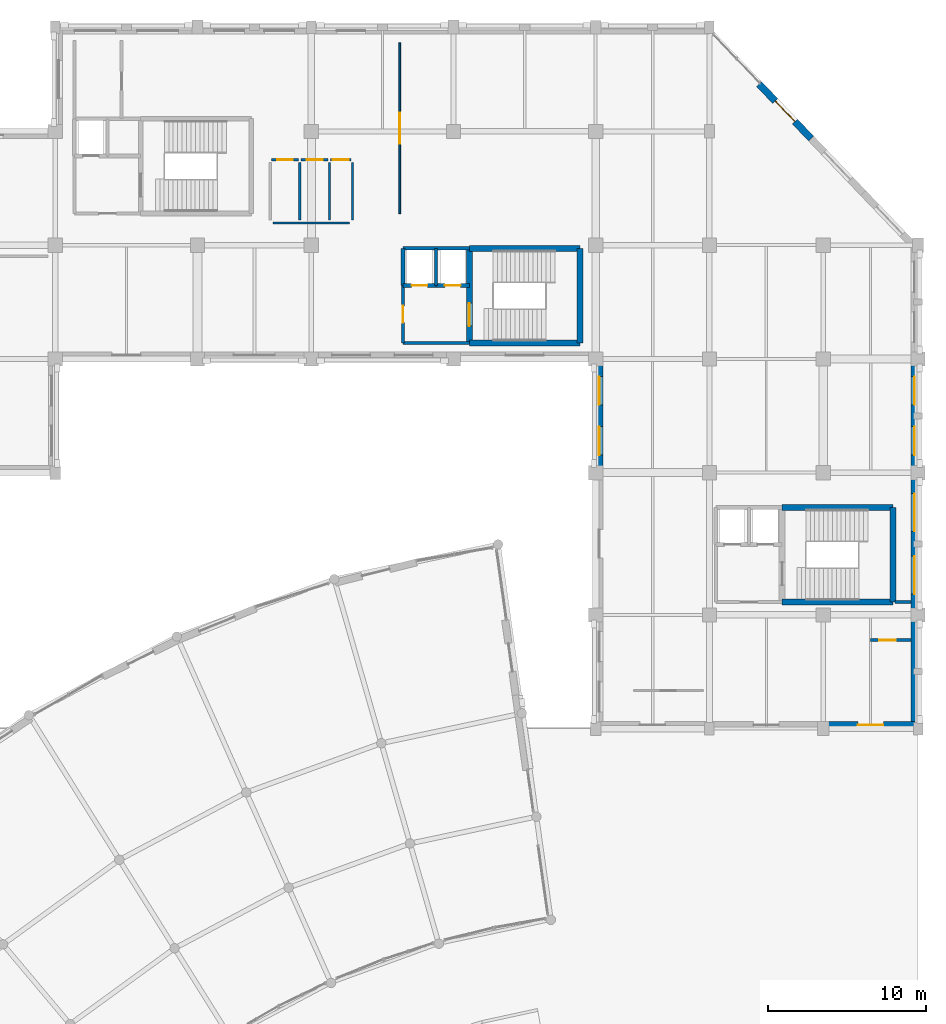
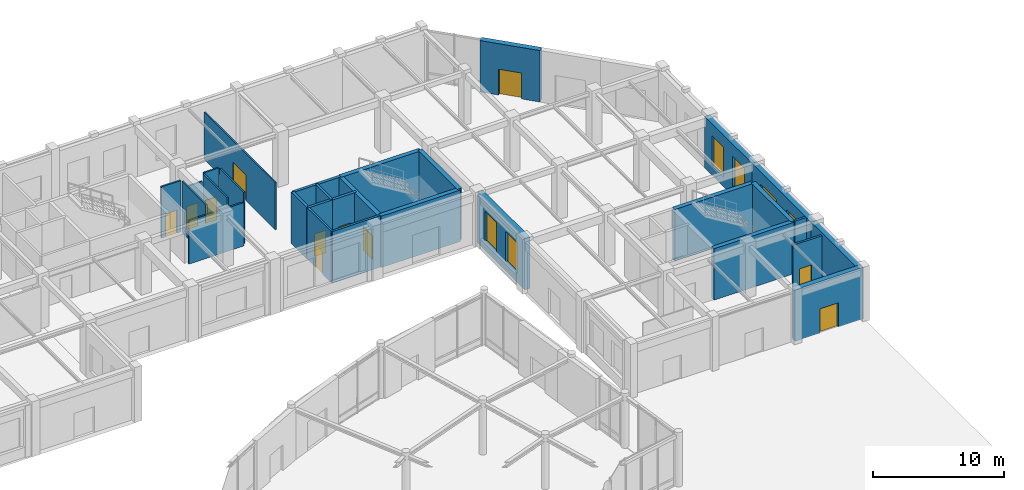
# One storey, part 54 of 64: 30 walls, 11 doors, 6 windows, 17 openings.
"""IFC4 building model written with IfcOpenShell, lengths in metres."""

from ifc_helpers import new_model, si_unit, direction, frame, frame_2d, origin, place, context, subcontext, project, spatial, rectangle, extrude, material, layer, layer_set, type_object, element, fill, save


model = new_model("IFC4")

# Units and contexts
model_context = context("Model", 3, precision=1e-05, world=origin(), true_north=direction((0.0, 1.0)))
body_context = subcontext(model_context, "Body", "Model", "MODEL_VIEW")
ifc_project = project(units=[si_unit("LENGTHUNIT", "METRE"), si_unit("AREAUNIT", "SQUARE_METRE"), si_unit("VOLUMEUNIT", "CUBIC_METRE"), si_unit("PLANEANGLEUNIT", "RADIAN"), si_unit("MASSUNIT", "GRAM", prefix="KILO")], contexts=[model_context])

# Site, building, storey
site_placement = place(None, origin())
site = spatial("IfcSite", under=ifc_project, at=site_placement, CompositionType="ELEMENT")
building_placement = place(site_placement, origin())
building = spatial("IfcBuilding", under=site, at=building_placement, Name="Clarverna Civic Hall", CompositionType="ELEMENT")
storey_placement = place(building_placement, origin())
storey = spatial("IfcBuildingStorey", under=building, at=storey_placement, Name="L00", CompositionType="ELEMENT", Elevation=0.0)

# Wall, opening, door
ifc_material_1 = material(Name="Precast concrete C40/50", Category="concrete")
ifc_layer_1 = layer(ifc_material_1, 0.449951171875)
ifc_layer_set_1 = layer_set([ifc_layer_1], Name="Precast concrete C40/50")
wall_type_1 = type_object("IfcWallType", Name="EW-01", PredefinedType="SOLIDWALL", material=ifc_layer_set_1)
wall_1_placement = place(storey_placement, frame((157.9375, 112.39453125, 0.0), z_axis=(0.0, 0.0, 1.0), x_axis=(0.691206390081, -0.722657405906, 0.0)))
wall_1 = element("IfcWall", 1, at=wall_1_placement, inside=storey, type_object=wall_type_1, Name="EW-01-040", PredefinedType="SOLIDWALL", context=body_context, shape_type="SweptSolid", body=[
    extrude(rectangle(XDim=4.77392578125, YDim=0.449951171875, at=frame_2d((2.386962890625, 0.0))), origin(), (0.0, 0.0, 1.0), 4.780029296875),
])
opening_1_placement = place(wall_1_placement, frame((1.487060546875, 0.0, 0.0)))
opening_1 = element("IfcOpeningElement", 2, at=opening_1_placement, cuts=wall_1, Name="Opening ED-02", PredefinedType="OPENING", context=body_context, shape_type="SweptSolid", body=[
    extrude(rectangle(XDim=1.800048828125, YDim=2.39990234375, at=frame_2d((0.89990234375, 1.199951171875))), frame((0.0, 0.23486328125, 0.0), z_axis=(0.0, -1.0, 0.0), x_axis=(1.0, 0.0, 0.0)), (0.0, 0.0, 1.0), 0.469970703125),
])
ifc_material_2 = material(Name="Anodised Bronze Glazed Door")
door_type_1 = type_object("IfcDoorType", Name="ED-02", OperationType="DOUBLE_DOOR_SINGLE_SWING", PredefinedType="DOOR", material=ifc_material_2)
door_1_placement = place(opening_1_placement, origin())
door_1 = element("IfcDoor", 3, at=door_1_placement, inside=storey, type_object=door_type_1, Name="ED-02-009", OperationType="DOUBLE_DOOR_SINGLE_SWING", OverallHeight=2.39990234375, OverallWidth=1.800048828125, PredefinedType="DOOR", context=body_context, shape_type="SweptSolid", body=[
    extrude(rectangle(XDim=1.800048828125, YDim=2.39990234375, at=frame_2d((0.89990234375, 1.199951171875))), frame((0.0, 0.02490234375, 0.0), z_axis=(0.0, -1.0, 0.0), x_axis=(1.0, 0.0, 0.0)), (0.0, 0.0, 1.0), 0.050048828125),
])
fill(opening_1, door_1)

# Wall, openings, windows
wall_2_placement = place(storey_placement, frame((167.77490234375, 95.0, 0.0), z_axis=(0.0, 0.0, 1.0), x_axis=(0.0, -1.0, 0.0)))
wall_2 = element("IfcWall", 4, at=wall_2_placement, inside=storey, type_object=wall_type_1, Name="EW-01-044", PredefinedType="SOLIDWALL", context=body_context, shape_type="SweptSolid", body=[
    extrude(rectangle(XDim=7.199951171875, YDim=0.449951171875, at=frame_2d((3.60009765625, 0.0))), origin(), (0.0, 0.0, 1.0), 4.780029296875),
])
opening_2_placement = place(wall_2_placement, frame((1.115966796875, 0.0, 0.85009765625)))
opening_2 = element("IfcOpeningElement", 5, at=opening_2_placement, cuts=wall_2, Name="Opening WN-01", PredefinedType="OPENING", context=body_context, shape_type="SweptSolid", body=[
    extrude(rectangle(XDim=1.800048828125, YDim=2.800048828125, at=frame_2d((0.89990234375, 1.39990234375))), frame((0.0, 0.23486328125, 0.0), z_axis=(0.0, -1.0, 0.0), x_axis=(1.0, 0.0, 0.0)), (0.0, 0.0, 1.0), 0.469970703125),
])
opening_3_placement = place(wall_2_placement, frame((4.283935546875, 0.0, 0.85009765625)))
opening_3 = element("IfcOpeningElement", 6, at=opening_3_placement, cuts=wall_2, Name="Opening WN-01", PredefinedType="OPENING", context=body_context, shape_type="SweptSolid", body=[
    extrude(rectangle(XDim=1.800048828125, YDim=2.800048828125, at=frame_2d((0.89990234375, 1.39990234375))), frame((0.0, 0.23486328125, 0.0), z_axis=(0.0, -1.0, 0.0), x_axis=(1.0, 0.0, 0.0)), (0.0, 0.0, 1.0), 0.469970703125),
])
ifc_material_3 = material(Name="Solar-Control Argon Low-E Double Glazing", Category="glass")
window_type_1 = type_object("IfcWindowType", Name="WN-01", PartitioningType="DOUBLE_PANEL_VERTICAL", PredefinedType="WINDOW", material=ifc_material_3)
window_1_placement = place(opening_2_placement, origin())
window_1 = element("IfcWindow", 7, at=window_1_placement, inside=storey, type_object=window_type_1, Name="WN-01-012", OverallHeight=2.800048828125, OverallWidth=1.800048828125, PartitioningType="DOUBLE_PANEL_VERTICAL", PredefinedType="WINDOW", context=body_context, shape_type="SweptSolid", body=[
    extrude(rectangle(XDim=1.800048828125, YDim=2.800048828125, at=frame_2d((0.89990234375, 1.39990234375))), frame((0.0, 0.030029296875, 0.0), z_axis=(0.0, -1.0, 0.0), x_axis=(1.0, 0.0, 0.0)), (0.0, 0.0, 1.0), 0.06005859375),
])
fill(opening_2, window_1)
window_2_placement = place(opening_3_placement, origin())
window_2 = element("IfcWindow", 8, at=window_2_placement, inside=storey, type_object=window_type_1, Name="WN-01-013", OverallHeight=2.800048828125, OverallWidth=1.800048828125, PartitioningType="DOUBLE_PANEL_VERTICAL", PredefinedType="WINDOW", context=body_context, shape_type="SweptSolid", body=[
    extrude(rectangle(XDim=1.800048828125, YDim=2.800048828125, at=frame_2d((0.89990234375, 1.39990234375))), frame((0.0, 0.030029296875, 0.0), z_axis=(0.0, -1.0, 0.0), x_axis=(1.0, 0.0, 0.0)), (0.0, 0.0, 1.0), 0.06005859375),
])
fill(opening_3, window_2)

wall_3_placement = place(storey_placement, frame((167.77490234375, 87.800048828125, 0.0), z_axis=(0.0, 0.0, 1.0), x_axis=(0.0, -1.0, 0.0)))
wall_3 = element("IfcWall", 9, at=wall_3_placement, inside=storey, type_object=wall_type_1, Name="EW-01-045", PredefinedType="SOLIDWALL", context=body_context, shape_type="SweptSolid", body=[
    extrude(rectangle(XDim=9.0, YDim=0.449951171875, at=frame_2d((4.5, 0.0))), origin(), (0.0, 0.0, 1.0), 4.780029296875),
])
opening_4_placement = place(wall_3_placement, frame((1.320068359375, 0.0, 0.85009765625)))
opening_4 = element("IfcOpeningElement", 10, at=opening_4_placement, cuts=wall_3, Name="Opening WN-02", PredefinedType="OPENING", context=body_context, shape_type="SweptSolid", body=[
    extrude(rectangle(XDim=2.39990234375, YDim=2.800048828125, at=frame_2d((1.199951171875, 1.39990234375))), frame((0.0, 0.23486328125, 0.0), z_axis=(0.0, -1.0, 0.0), x_axis=(1.0, 0.0, 0.0)), (0.0, 0.0, 1.0), 0.469970703125),
])
opening_5_placement = place(wall_3_placement, frame((5.280029296875, 0.0, 0.85009765625)))
opening_5 = element("IfcOpeningElement", 11, at=opening_5_placement, cuts=wall_3, Name="Opening WN-02", PredefinedType="OPENING", context=body_context, shape_type="SweptSolid", body=[
    extrude(rectangle(XDim=2.39990234375, YDim=2.800048828125, at=frame_2d((1.199951171875, 1.39990234375))), frame((0.0, 0.23486328125, 0.0), z_axis=(0.0, -1.0, 0.0), x_axis=(1.0, 0.0, 0.0)), (0.0, 0.0, 1.0), 0.469970703125),
])
window_type_2 = type_object("IfcWindowType", Name="WN-02", PartitioningType="TRIPLE_PANEL_VERTICAL", PredefinedType="WINDOW", material=ifc_material_3)
window_3_placement = place(opening_4_placement, origin())
window_3 = element("IfcWindow", 12, at=window_3_placement, inside=storey, type_object=window_type_2, Name="WN-02-008", OverallHeight=2.800048828125, OverallWidth=2.39990234375, PartitioningType="TRIPLE_PANEL_VERTICAL", PredefinedType="WINDOW", context=body_context, shape_type="SweptSolid", body=[
    extrude(rectangle(XDim=2.39990234375, YDim=2.800048828125, at=frame_2d((1.199951171875, 1.39990234375))), frame((0.0, 0.030029296875, 0.0), z_axis=(0.0, -1.0, 0.0), x_axis=(1.0, 0.0, 0.0)), (0.0, 0.0, 1.0), 0.06005859375),
])
fill(opening_4, window_3)
window_4_placement = place(opening_5_placement, origin())
window_4 = element("IfcWindow", 13, at=window_4_placement, inside=storey, type_object=window_type_2, Name="WN-02-009", OverallHeight=2.800048828125, OverallWidth=2.39990234375, PartitioningType="TRIPLE_PANEL_VERTICAL", PredefinedType="WINDOW", context=body_context, shape_type="SweptSolid", body=[
    extrude(rectangle(XDim=2.39990234375, YDim=2.800048828125, at=frame_2d((1.199951171875, 1.39990234375))), frame((0.0, 0.030029296875, 0.0), z_axis=(0.0, -1.0, 0.0), x_axis=(1.0, 0.0, 0.0)), (0.0, 0.0, 1.0), 0.06005859375),
])
fill(opening_5, window_4)

# Wall
wall_4_placement = place(storey_placement, frame((167.77490234375, 78.800048828125, 0.0), z_axis=(0.0, 0.0, 1.0), x_axis=(0.0, -1.0, 0.0)))
element("IfcWall", 14, at=wall_4_placement, inside=storey, type_object=wall_type_1, Name="EW-01-046", PredefinedType="SOLIDWALL", context=body_context, shape_type="SweptSolid", body=[
    extrude(rectangle(XDim=7.199951171875, YDim=0.449951171875, at=frame_2d((3.60009765625, 0.0))), origin(), (0.0, 0.0, 1.0), 4.780029296875),
])

# Wall, opening, door
wall_5_placement = place(storey_placement, frame((168.0, 71.824951171875, 0.0), z_axis=(0.0, 0.0, 1.0), x_axis=(-1.0, 0.0, 0.0)))
wall_5 = element("IfcWall", 15, at=wall_5_placement, inside=storey, type_object=wall_type_1, Name="EW-01-047", PredefinedType="SOLIDWALL", context=body_context, shape_type="SweptSolid", body=[
    extrude(rectangle(XDim=6.0, YDim=0.449951171875, at=frame_2d((3.0, 0.0))), origin(), (0.0, 0.0, 1.0), 4.780029296875),
])
opening_6_placement = place(wall_5_placement, frame((2.199951171875, 0.0, 0.0)))
opening_6 = element("IfcOpeningElement", 16, at=opening_6_placement, cuts=wall_5, Name="Opening ED-04", PredefinedType="OPENING", context=body_context, shape_type="SweptSolid", body=[
    extrude(rectangle(XDim=1.60009765625, YDim=2.25, at=frame_2d((0.800048828125, 1.125))), frame((0.0, 0.23486328125, 0.0), z_axis=(0.0, -1.0, 0.0), x_axis=(1.0, 0.0, 0.0)), (0.0, 0.0, 1.0), 0.469970703125),
])
door_type_2 = type_object("IfcDoorType", Name="ED-04", OperationType="DOUBLE_DOOR_SINGLE_SWING", PredefinedType="DOOR", material=ifc_material_2)
door_2_placement = place(opening_6_placement, origin())
door_2 = element("IfcDoor", 17, at=door_2_placement, inside=storey, type_object=door_type_2, Name="ED-04-001", OperationType="DOUBLE_DOOR_SINGLE_SWING", OverallHeight=2.25, OverallWidth=1.60009765625, PredefinedType="DOOR", context=body_context, shape_type="SweptSolid", body=[
    extrude(rectangle(XDim=1.60009765625, YDim=2.25, at=frame_2d((0.800048828125, 1.125))), frame((0.0, 0.02490234375, 0.0), z_axis=(0.0, -1.0, 0.0), x_axis=(1.0, 0.0, 0.0)), (0.0, 0.0, 1.0), 0.050048828125),
])
fill(opening_6, door_2)

# Wall, openings, windows
wall_6_placement = place(storey_placement, frame((147.824951171875, 87.800048828125, 0.0), z_axis=(0.0, 0.0, 1.0), x_axis=(0.0, 1.0, 0.0)))
wall_6 = element("IfcWall", 18, at=wall_6_placement, inside=storey, type_object=wall_type_1, Name="EW-01-052", PredefinedType="SOLIDWALL", context=body_context, shape_type="SweptSolid", body=[
    extrude(rectangle(XDim=7.199951171875, YDim=0.449951171875, at=frame_2d((3.60009765625, 0.0))), origin(), (0.0, 0.0, 1.0), 4.780029296875),
])
opening_7_placement = place(wall_6_placement, frame((1.115966796875, 0.0, 0.85009765625)))
opening_7 = element("IfcOpeningElement", 19, at=opening_7_placement, cuts=wall_6, Name="Opening WN-01", PredefinedType="OPENING", context=body_context, shape_type="SweptSolid", body=[
    extrude(rectangle(XDim=1.800048828125, YDim=2.800048828125, at=frame_2d((0.89990234375, 1.39990234375))), frame((0.0, 0.23486328125, 0.0), z_axis=(0.0, -1.0, 0.0), x_axis=(1.0, 0.0, 0.0)), (0.0, 0.0, 1.0), 0.469970703125),
])
opening_8_placement = place(wall_6_placement, frame((4.283935546875, 0.0, 0.85009765625)))
opening_8 = element("IfcOpeningElement", 20, at=opening_8_placement, cuts=wall_6, Name="Opening WN-01", PredefinedType="OPENING", context=body_context, shape_type="SweptSolid", body=[
    extrude(rectangle(XDim=1.800048828125, YDim=2.800048828125, at=frame_2d((0.89990234375, 1.39990234375))), frame((0.0, 0.23486328125, 0.0), z_axis=(0.0, -1.0, 0.0), x_axis=(1.0, 0.0, 0.0)), (0.0, 0.0, 1.0), 0.469970703125),
])
window_5_placement = place(opening_7_placement, origin())
window_5 = element("IfcWindow", 21, at=window_5_placement, inside=storey, type_object=window_type_1, Name="WN-01-014", OverallHeight=2.800048828125, OverallWidth=1.800048828125, PartitioningType="DOUBLE_PANEL_VERTICAL", PredefinedType="WINDOW", context=body_context, shape_type="SweptSolid", body=[
    extrude(rectangle(XDim=1.800048828125, YDim=2.800048828125, at=frame_2d((0.89990234375, 1.39990234375))), frame((0.0, 0.030029296875, 0.0), z_axis=(0.0, -1.0, 0.0), x_axis=(1.0, 0.0, 0.0)), (0.0, 0.0, 1.0), 0.06005859375),
])
fill(opening_7, window_5)
window_6_placement = place(opening_8_placement, origin())
window_6 = element("IfcWindow", 22, at=window_6_placement, inside=storey, type_object=window_type_1, Name="WN-01-015", OverallHeight=2.800048828125, OverallWidth=1.800048828125, PartitioningType="DOUBLE_PANEL_VERTICAL", PredefinedType="WINDOW", context=body_context, shape_type="SweptSolid", body=[
    extrude(rectangle(XDim=1.800048828125, YDim=2.800048828125, at=frame_2d((0.89990234375, 1.39990234375))), frame((0.0, 0.030029296875, 0.0), z_axis=(0.0, -1.0, 0.0), x_axis=(1.0, 0.0, 0.0)), (0.0, 0.0, 1.0), 0.06005859375),
])
fill(opening_8, window_6)

# Walls
ifc_material_4 = material(Name="Ceramic Brick and Plaster Wet-Room Partition", Category="masonry")
ifc_layer_2 = layer(ifc_material_4, 0.139892578125)
ifc_layer_set_2 = layer_set([ifc_layer_2], Name="Ceramic Brick and Plaster Wet-Room Partition")
wall_type_2 = type_object("IfcWallType", Name="PW-02", PredefinedType="PARTITIONING", material=ifc_layer_set_2)
wall_7_placement = place(storey_placement, frame((127.179931640625, 103.60009765625, 0.0), z_axis=(0.0, 0.0, 1.0), x_axis=(1.0, 0.0, 0.0)))
element("IfcWall", 23, at=wall_7_placement, inside=storey, type_object=wall_type_2, Name="PW-02-009", PredefinedType="PARTITIONING", context=body_context, shape_type="SweptSolid", body=[
    extrude(rectangle(XDim=4.840087890625, YDim=0.139892578125, at=frame_2d((2.419921875, 0.0))), origin(), (0.0, 0.0, 1.0), 4.030029296875),
])
for number, where, z_axis, x_axis, name in (
    (24, (132.199951171875, 103.780029296875, 0.0), (0.0, 0.0, 1.0), (0.0, 1.0, 0.0), "PW-02-011"),
    (25, (128.8720703125, 103.780029296875, 0.0), (0.0, 0.0, 1.0), (0.0, 1.0, 0.0), "PW-02-012"),
    (26, (130.743896484375, 103.780029296875, 0.0), (0.0, 0.0, 1.0), (0.0, 1.0, 0.0), "PW-02-013"),
):
    element("IfcWall", number, at=place(storey_placement, frame(where, z_axis=z_axis, x_axis=x_axis)), inside=storey, type_object=wall_type_2, Name=name, PredefinedType="PARTITIONING", context=body_context, shape_type="SweptSolid", body=[
        extrude(rectangle(XDim=3.639892578125, YDim=0.139892578125, at=frame_2d((1.81982421875, 0.0))), origin(), (0.0, 0.0, 1.0), 4.780029296875),
    ])

# Wall, opening, door
wall_8_placement = place(storey_placement, frame((127.080078125, 107.60009765625, 0.0), z_axis=(0.0, 0.0, 1.0), x_axis=(1.0, 0.0, 0.0)))
wall_8 = element("IfcWall", 27, at=wall_8_placement, inside=storey, type_object=wall_type_2, Name="PW-02-014", PredefinedType="PARTITIONING", context=body_context, shape_type="SweptSolid", body=[
    extrude(rectangle(XDim=1.7119140625, YDim=0.139892578125, at=frame_2d((0.85595703125, 0.0))), origin(), (0.0, 0.0, 1.0), 4.780029296875),
])
opening_9_placement = place(wall_8_placement, frame((0.35595703125, 0.0, 0.0)))
opening_9 = element("IfcOpeningElement", 28, at=opening_9_placement, cuts=wall_8, Name="Opening ID-02", PredefinedType="OPENING", context=body_context, shape_type="SweptSolid", body=[
    extrude(rectangle(XDim=1.0, YDim=2.14990234375, at=frame_2d((0.5, 1.074951171875))), frame((0.0, 0.079833984375, 0.0), z_axis=(0.0, -1.0, 0.0), x_axis=(1.0, 0.0, 0.0)), (0.0, 0.0, 1.0), 0.159912109375),
])
ifc_material_5 = material(Name="European Oak Veneered Acoustic Timber Door", Category="wood")
door_type_3 = type_object("IfcDoorType", Name="ID-02", OperationType="NOTDEFINED", PredefinedType="DOOR", material=ifc_material_5)
door_3_placement = place(opening_9_placement, origin())
door_3 = element("IfcDoor", 29, at=door_3_placement, inside=storey, type_object=door_type_3, Name="ID-02-004", OperationType="SINGLE_SWING_RIGHT", OverallHeight=2.14990234375, OverallWidth=1.0, PredefinedType="DOOR", context=body_context, shape_type="SweptSolid", body=[
    extrude(rectangle(XDim=1.0, YDim=2.14990234375, at=frame_2d((0.5, 1.074951171875))), frame((0.0, 0.02490234375, 0.0), z_axis=(0.0, -1.0, 0.0), x_axis=(1.0, 0.0, 0.0)), (0.0, 0.0, 1.0), 0.050048828125),
])
fill(opening_9, door_3)

wall_9_placement = place(storey_placement, frame((128.951904296875, 107.60009765625, 0.0), z_axis=(0.0, 0.0, 1.0), x_axis=(1.0, 0.0, 0.0)))
wall_9 = element("IfcWall", 30, at=wall_9_placement, inside=storey, type_object=wall_type_2, Name="PW-02-015", PredefinedType="PARTITIONING", context=body_context, shape_type="SweptSolid", body=[
    extrude(rectangle(XDim=1.712158203125, YDim=0.139892578125, at=frame_2d((0.85595703125, 0.0))), origin(), (0.0, 0.0, 1.0), 4.030029296875),
])
opening_10_placement = place(wall_9_placement, frame((0.35595703125, 0.0, 0.0)))
opening_10 = element("IfcOpeningElement", 31, at=opening_10_placement, cuts=wall_9, Name="Opening ID-02", PredefinedType="OPENING", context=body_context, shape_type="SweptSolid", body=[
    extrude(rectangle(XDim=1.0, YDim=2.14990234375, at=frame_2d((0.5, 1.074951171875))), frame((0.0, 0.079833984375, 0.0), z_axis=(0.0, -1.0, 0.0), x_axis=(1.0, 0.0, 0.0)), (0.0, 0.0, 1.0), 0.159912109375),
])
door_4_placement = place(opening_10_placement, origin())
door_4 = element("IfcDoor", 32, at=door_4_placement, inside=storey, type_object=door_type_3, Name="ID-02-005", OperationType="SINGLE_SWING_LEFT", OverallHeight=2.14990234375, OverallWidth=1.0, PredefinedType="DOOR", context=body_context, shape_type="SweptSolid", body=[
    extrude(rectangle(XDim=1.0, YDim=2.14990234375, at=frame_2d((0.5, 1.074951171875))), frame((0.0, 0.02490234375, 0.0), z_axis=(0.0, -1.0, 0.0), x_axis=(1.0, 0.0, 0.0)), (0.0, 0.0, 1.0), 0.050048828125),
])
fill(opening_10, door_4)

wall_10_placement = place(storey_placement, frame((130.823974609375, 107.60009765625, 0.0), z_axis=(0.0, 0.0, 1.0), x_axis=(1.0, 0.0, 0.0)))
wall_10 = element("IfcWall", 33, at=wall_10_placement, inside=storey, type_object=wall_type_2, Name="PW-02-016", PredefinedType="PARTITIONING", context=body_context, shape_type="SweptSolid", body=[
    extrude(rectangle(XDim=1.296142578125, YDim=0.139892578125, at=frame_2d((0.64794921875, 0.0))), origin(), (0.0, 0.0, 1.0), 4.780029296875),
])
opening_11_placement = place(wall_10_placement, frame((0.14794921875, 0.0, 0.0)))
opening_11 = element("IfcOpeningElement", 34, at=opening_11_placement, cuts=wall_10, Name="Opening ID-02", PredefinedType="OPENING", context=body_context, shape_type="SweptSolid", body=[
    extrude(rectangle(XDim=1.0, YDim=2.14990234375, at=frame_2d((0.5, 1.074951171875))), frame((0.0, 0.079833984375, 0.0), z_axis=(0.0, -1.0, 0.0), x_axis=(1.0, 0.0, 0.0)), (0.0, 0.0, 1.0), 0.159912109375),
])
door_5_placement = place(opening_11_placement, origin())
door_5 = element("IfcDoor", 35, at=door_5_placement, inside=storey, type_object=door_type_3, Name="ID-02-006", OperationType="SINGLE_SWING_RIGHT", OverallHeight=2.14990234375, OverallWidth=1.0, PredefinedType="DOOR", context=body_context, shape_type="SweptSolid", body=[
    extrude(rectangle(XDim=1.0, YDim=2.14990234375, at=frame_2d((0.5, 1.074951171875))), frame((0.0, 0.02490234375, 0.0), z_axis=(0.0, -1.0, 0.0), x_axis=(1.0, 0.0, 0.0)), (0.0, 0.0, 1.0), 0.050048828125),
])
fill(opening_11, door_5)

ifc_material_6 = material(Name="Gypsum Plasterboard Partition", Category="gypsum")
ifc_layer_3 = layer(ifc_material_6, 0.1201171875)
ifc_layer_set_3 = layer_set([ifc_layer_3], Name="Gypsum Plasterboard Partition")
wall_type_3 = type_object("IfcWallType", Name="PW-03", PredefinedType="PARTITIONING", material=ifc_layer_set_3)
wall_11_placement = place(storey_placement, frame((135.199951171875, 104.199951171875, 0.0), z_axis=(0.0, 0.0, 1.0), x_axis=(0.0, 1.0, 0.0)))
wall_11 = element("IfcWall", 36, at=wall_11_placement, inside=storey, type_object=wall_type_3, Name="PW-03-001", PredefinedType="PARTITIONING", context=body_context, shape_type="SweptSolid", body=[
    extrude(rectangle(XDim=10.800048828125, YDim=0.1201171875, at=frame_2d((5.39990234375, 0.0))), origin(), (0.0, 0.0, 1.0), 4.389892578125),
])
opening_12_placement = place(wall_11_placement, frame((4.425048828125, 0.0, 0.0)))
opening_12 = element("IfcOpeningElement", 37, at=opening_12_placement, cuts=wall_11, Name="Opening ID-05", PredefinedType="OPENING", context=body_context, shape_type="SweptSolid", body=[
    extrude(rectangle(XDim=1.949951171875, YDim=2.39990234375, at=frame_2d((0.97509765625, 1.199951171875))), frame((0.0, 0.070068359375, 0.0), z_axis=(0.0, -1.0, 0.0), x_axis=(1.0, 0.0, 0.0)), (0.0, 0.0, 1.0), 0.14013671875),
])
ifc_material_7 = material(Name="Glazed Bronze-Framed Oak Double Door")
door_type_4 = type_object("IfcDoorType", Name="ID-05", OperationType="DOUBLE_DOOR_SINGLE_SWING", PredefinedType="DOOR", material=ifc_material_7)
door_6_placement = place(opening_12_placement, origin())
door_6 = element("IfcDoor", 38, at=door_6_placement, inside=storey, type_object=door_type_4, Name="ID-05-001", OperationType="DOUBLE_DOOR_SINGLE_SWING", OverallHeight=2.39990234375, OverallWidth=1.949951171875, PredefinedType="DOOR", context=body_context, shape_type="SweptSolid", body=[
    extrude(rectangle(XDim=1.949951171875, YDim=2.39990234375, at=frame_2d((0.97509765625, 1.199951171875))), frame((0.0, 0.02490234375, 0.0), z_axis=(0.0, -1.0, 0.0), x_axis=(1.0, 0.0, 0.0)), (0.0, 0.0, 1.0), 0.050048828125),
])
fill(opening_12, door_6)

ifc_material_8 = material(Name="Acoustic Gypsum Plasterboard on Twin Frame", Category="gypsum")
ifc_layer_4 = layer(ifc_material_8, 0.18994140625)
ifc_layer_set_4 = layer_set([ifc_layer_4], Name="Acoustic Gypsum Plasterboard on Twin Frame")
wall_type_4 = type_object("IfcWallType", Name="PW-06", PredefinedType="PARTITIONING", material=ifc_layer_set_4)
wall_12_placement = place(storey_placement, frame((135.39990234375, 96.0, 0.0), z_axis=(0.0, 0.0, 1.0), x_axis=(0.0, 1.0, 0.0)))
wall_12 = element("IfcWall", 39, at=wall_12_placement, inside=storey, type_object=wall_type_4, Name="PW-06-003", PredefinedType="PARTITIONING", context=body_context, shape_type="SweptSolid", body=[
    extrude(rectangle(XDim=3.64990234375, YDim=0.18994140625, at=frame_2d((1.824951171875, 0.0))), origin(), (0.0, 0.0, 1.0), 4.780029296875),
])
opening_13_placement = place(wall_12_placement, frame((1.300048828125, 0.0, 0.0)))
opening_13 = element("IfcOpeningElement", 40, at=opening_13_placement, cuts=wall_12, Name="Opening FD-02", PredefinedType="OPENING", context=body_context, shape_type="SweptSolid", body=[
    extrude(rectangle(XDim=1.050048828125, YDim=2.14990234375, at=frame_2d((0.52490234375, 1.074951171875))), frame((0.0, 0.10498046875, 0.0), z_axis=(0.0, -1.0, 0.0), x_axis=(1.0, 0.0, 0.0)), (0.0, 0.0, 1.0), 0.2099609375),
])
ifc_material_9 = material(Name="Acoustic Timber-Faced Fire Door", Category="wood")
door_type_5 = type_object("IfcDoorType", Name="FD-02", OperationType="NOTDEFINED", PredefinedType="DOOR", material=ifc_material_9)
door_7_placement = place(opening_13_placement, origin())
door_7 = element("IfcDoor", 41, at=door_7_placement, inside=storey, type_object=door_type_5, Name="FD-02-003", OperationType="SINGLE_SWING_RIGHT", OverallHeight=2.14990234375, OverallWidth=1.050048828125, PredefinedType="DOOR", context=body_context, shape_type="SweptSolid", body=[
    extrude(rectangle(XDim=1.050048828125, YDim=2.14990234375, at=frame_2d((0.52490234375, 1.074951171875))), frame((0.0, 0.02490234375, 0.0), z_axis=(0.0, -1.0, 0.0), x_axis=(1.0, 0.0, 0.0)), (0.0, 0.0, 1.0), 0.050048828125),
])
fill(opening_13, door_7)

# Walls
wall_13_placement = place(storey_placement, frame((135.39990234375, 96.0, 0.0), z_axis=(0.0, 0.0, 1.0), x_axis=(1.0, 0.0, 0.0)))
element("IfcWall", 42, at=wall_13_placement, inside=storey, type_object=wall_type_4, Name="PW-06-004", PredefinedType="PARTITIONING", context=body_context, shape_type="SweptSolid", body=[
    extrude(rectangle(XDim=4.2001953125, YDim=0.18994140625, at=frame_2d((2.10009765625, 0.0))), origin(), (0.0, 0.0, 1.0), 4.780029296875),
])
wall_14_placement = place(storey_placement, frame((166.550048828125, 79.60009765625, 0.0), z_axis=(0.0, 0.0, 1.0), x_axis=(1.0, 0.0, 0.0)))
element("IfcWall", 43, at=wall_14_placement, inside=storey, type_object=wall_type_4, Name="PW-06-125", PredefinedType="PARTITIONING", context=body_context, shape_type="SweptSolid", body=[
    extrude(rectangle(XDim=1.0, YDim=0.18994140625, at=frame_2d((0.5, 0.0))), origin(), (0.0, 0.0, 1.0), 4.780029296875),
])

# Wall, opening, door
wall_15_placement = place(storey_placement, frame((165.0, 77.199951171875, 0.0), z_axis=(0.0, 0.0, 1.0), x_axis=(1.0, 0.0, 0.0)))
wall_15 = element("IfcWall", 44, at=wall_15_placement, inside=storey, type_object=wall_type_4, Name="PW-06-126", PredefinedType="PARTITIONING", context=body_context, shape_type="SweptSolid", body=[
    extrude(rectangle(XDim=2.550048828125, YDim=0.18994140625, at=frame_2d((1.27490234375, 0.0))), origin(), (0.0, 0.0, 1.0), 4.5400390625),
])
opening_14_placement = place(wall_15_placement, frame((0.550048828125, 0.0, 0.0)))
opening_14 = element("IfcOpeningElement", 45, at=opening_14_placement, cuts=wall_15, Name="Opening FD-02", PredefinedType="OPENING", context=body_context, shape_type="SweptSolid", body=[
    extrude(rectangle(XDim=1.050048828125, YDim=2.14990234375, at=frame_2d((0.52490234375, 1.074951171875))), frame((0.0, 0.10498046875, 0.0), z_axis=(0.0, -1.0, 0.0), x_axis=(1.0, 0.0, 0.0)), (0.0, 0.0, 1.0), 0.2099609375),
])
door_8_placement = place(opening_14_placement, origin())
door_8 = element("IfcDoor", 46, at=door_8_placement, inside=storey, type_object=door_type_5, Name="FD-02-115", OperationType="SINGLE_SWING_LEFT", OverallHeight=2.14990234375, OverallWidth=1.050048828125, PredefinedType="DOOR", context=body_context, shape_type="SweptSolid", body=[
    extrude(rectangle(XDim=1.050048828125, YDim=2.14990234375, at=frame_2d((0.52490234375, 1.074951171875))), frame((0.0, 0.02490234375, 0.0), z_axis=(0.0, -1.0, 0.0), x_axis=(1.0, 0.0, 0.0)), (0.0, 0.0, 1.0), 0.050048828125),
])
fill(opening_14, door_8)

ifc_material_10 = material(Name="Concrete C35/45", Category="concrete")
ifc_layer_5 = layer(ifc_material_10, 0.3798828125)
ifc_layer_set_5 = layer_set([ifc_layer_5], Name="Concrete C35/45")
wall_type_5 = type_object("IfcWallType", Name="SW-01", PredefinedType="SHEAR", material=ifc_layer_set_5)
wall_16_placement = place(storey_placement, frame((139.60009765625, 96.0, 0.0), z_axis=(0.0, 0.0, 1.0), x_axis=(0.0, 1.0, 0.0)))
wall_16 = element("IfcWall", 47, at=wall_16_placement, inside=storey, type_object=wall_type_5, Name="SW-01-010", PredefinedType="SHEAR", context=body_context, shape_type="SweptSolid", body=[
    extrude(rectangle(XDim=6.0, YDim=0.3798828125, at=frame_2d((3.0, 0.0))), origin(), (0.0, 0.0, 1.0), 4.780029296875),
])
opening_15_placement = place(wall_16_placement, frame((1.074951171875, 0.0, 0.0)))
opening_15 = element("IfcOpeningElement", 48, at=opening_15_placement, cuts=wall_16, Name="Opening FD-01", PredefinedType="OPENING", context=body_context, shape_type="SweptSolid", body=[
    extrude(rectangle(XDim=1.449951171875, YDim=2.199951171875, at=frame_2d((0.72509765625, 1.10009765625))), frame((0.0, 0.199951171875, 0.0), z_axis=(0.0, -1.0, 0.0), x_axis=(1.0, 0.0, 0.0)), (0.0, 0.0, 1.0), 0.39990234375),
])
door_type_6 = type_object("IfcDoorType", Name="FD-01", OperationType="DOUBLE_DOOR_SINGLE_SWING", PredefinedType="DOOR", material=ifc_material_9)
door_9_placement = place(opening_15_placement, origin())
door_9 = element("IfcDoor", 49, at=door_9_placement, inside=storey, type_object=door_type_6, Name="FD-01-001", OperationType="DOUBLE_DOOR_SINGLE_SWING", OverallHeight=2.199951171875, OverallWidth=1.449951171875, PredefinedType="DOOR", context=body_context, shape_type="SweptSolid", body=[
    extrude(rectangle(XDim=1.449951171875, YDim=2.199951171875, at=frame_2d((0.72509765625, 1.10009765625))), frame((0.0, 0.02490234375, 0.0), z_axis=(0.0, -1.0, 0.0), x_axis=(1.0, 0.0, 0.0)), (0.0, 0.0, 1.0), 0.050048828125),
])
fill(opening_15, door_9)

# Walls
wall_17_placement = place(storey_placement, frame((146.60009765625, 96.0, 0.0), z_axis=(0.0, 0.0, 1.0), x_axis=(0.0, 1.0, 0.0)))
element("IfcWall", 50, at=wall_17_placement, inside=storey, type_object=wall_type_5, Name="SW-01-011", PredefinedType="SHEAR", context=body_context, shape_type="SweptSolid", body=[
    extrude(rectangle(XDim=6.0, YDim=0.3798828125, at=frame_2d((3.0, 0.0))), origin(), (0.0, 0.0, 1.0), 4.780029296875),
])
for number, where, z_axis, x_axis, name in (
    (51, (139.60009765625, 96.0, 0.0), (0.0, 0.0, 1.0), (1.0, 0.0, 0.0), "SW-01-012"),
    (52, (139.60009765625, 102.0, 0.0), (0.0, 0.0, 1.0), (1.0, 0.0, 0.0), "SW-01-013"),
):
    element("IfcWall", number, at=place(storey_placement, frame(where, z_axis=z_axis, x_axis=x_axis)), inside=storey, type_object=wall_type_5, Name=name, PredefinedType="SHEAR", context=body_context, shape_type="SweptSolid", body=[
        extrude(rectangle(XDim=7.0, YDim=0.3798828125, at=frame_2d((3.5, 0.0))), origin(), (0.0, 0.0, 1.0), 4.780029296875),
    ])
wall_18_placement = place(storey_placement, frame((135.39990234375, 102.0, 0.0), z_axis=(0.0, 0.0, 1.0), x_axis=(1.0, 0.0, 0.0)))
element("IfcWall", 53, at=wall_18_placement, inside=storey, type_object=wall_type_5, Name="SW-01-014", PredefinedType="SHEAR", context=body_context, shape_type="SweptSolid", body=[
    extrude(rectangle(XDim=4.2001953125, YDim=0.239990234375, at=frame_2d((2.10009765625, 0.0))), origin(), (0.0, 0.0, 1.0), 4.780029296875),
])
wall_19_placement = place(storey_placement, frame((135.39990234375, 99.64990234375, 0.0), z_axis=(0.0, 0.0, 1.0), x_axis=(0.0, 1.0, 0.0)))
element("IfcWall", 54, at=wall_19_placement, inside=storey, type_object=wall_type_5, Name="SW-01-015", PredefinedType="SHEAR", context=body_context, shape_type="SweptSolid", body=[
    extrude(rectangle(XDim=2.35009765625, YDim=0.239990234375, at=frame_2d((1.175048828125, 0.0))), origin(), (0.0, 0.0, 1.0), 4.780029296875),
])
wall_20_placement = place(storey_placement, frame((137.5, 99.64990234375, 0.0), z_axis=(0.0, 0.0, 1.0), x_axis=(0.0, 1.0, 0.0)))
element("IfcWall", 55, at=wall_20_placement, inside=storey, type_object=wall_type_5, Name="SW-01-016", PredefinedType="SHEAR", context=body_context, shape_type="SweptSolid", body=[
    extrude(rectangle(XDim=2.35009765625, YDim=0.199951171875, at=frame_2d((1.175048828125, 0.0))), origin(), (0.0, 0.0, 1.0), 4.780029296875),
])

# Wall, opening, door
wall_21_placement = place(storey_placement, frame((135.39990234375, 99.64990234375, 0.0), z_axis=(0.0, 0.0, 1.0), x_axis=(1.0, 0.0, 0.0)))
wall_21 = element("IfcWall", 56, at=wall_21_placement, inside=storey, type_object=wall_type_5, Name="SW-01-017", PredefinedType="SHEAR", context=body_context, shape_type="SweptSolid", body=[
    extrude(rectangle(XDim=2.10009765625, YDim=0.239990234375, at=frame_2d((1.050048828125, 0.0))), origin(), (0.0, 0.0, 1.0), 4.780029296875),
])
opening_16_placement = place(wall_21_placement, frame((0.550048828125, 0.0, 0.0)))
opening_16 = element("IfcOpeningElement", 57, at=opening_16_placement, cuts=wall_21, Name="Opening LD-01", PredefinedType="OPENING", context=body_context, shape_type="SweptSolid", body=[
    extrude(rectangle(XDim=1.0, YDim=2.10009765625, at=frame_2d((0.5, 1.050048828125))), frame((0.0, 0.1298828125, 0.0), z_axis=(0.0, -1.0, 0.0), x_axis=(1.0, 0.0, 0.0)), (0.0, 0.0, 1.0), 0.260009765625),
])
ifc_material_11 = material(Name="Brushed Bronze Stainless Lift Landing Door")
door_type_7 = type_object("IfcDoorType", Name="LD-01", OperationType="SLIDING_TO_LEFT", PredefinedType="DOOR", material=ifc_material_11)
door_10_placement = place(opening_16_placement, origin())
door_10 = element("IfcDoor", 58, at=door_10_placement, inside=storey, type_object=door_type_7, Name="LD-01-003", OperationType="SLIDING_TO_LEFT", OverallHeight=2.10009765625, OverallWidth=1.0, PredefinedType="DOOR", context=body_context, shape_type="SweptSolid", body=[
    extrude(rectangle(XDim=1.0, YDim=2.10009765625, at=frame_2d((0.5, 1.050048828125))), frame((0.0, 0.02490234375, 0.0), z_axis=(0.0, -1.0, 0.0), x_axis=(1.0, 0.0, 0.0)), (0.0, 0.0, 1.0), 0.050048828125),
])
fill(opening_16, door_10)

wall_22_placement = place(storey_placement, frame((137.5, 99.64990234375, 0.0), z_axis=(0.0, 0.0, 1.0), x_axis=(1.0, 0.0, 0.0)))
wall_22 = element("IfcWall", 59, at=wall_22_placement, inside=storey, type_object=wall_type_5, Name="SW-01-018", PredefinedType="SHEAR", context=body_context, shape_type="SweptSolid", body=[
    extrude(rectangle(XDim=2.10009765625, YDim=0.239990234375, at=frame_2d((1.050048828125, 0.0))), origin(), (0.0, 0.0, 1.0), 4.780029296875),
])
opening_17_placement = place(wall_22_placement, frame((0.550048828125, 0.0, 0.0)))
opening_17 = element("IfcOpeningElement", 60, at=opening_17_placement, cuts=wall_22, Name="Opening LD-01", PredefinedType="OPENING", context=body_context, shape_type="SweptSolid", body=[
    extrude(rectangle(XDim=1.0, YDim=2.10009765625, at=frame_2d((0.5, 1.050048828125))), frame((0.0, 0.1298828125, 0.0), z_axis=(0.0, -1.0, 0.0), x_axis=(1.0, 0.0, 0.0)), (0.0, 0.0, 1.0), 0.260009765625),
])
door_11_placement = place(opening_17_placement, origin())
door_11 = element("IfcDoor", 61, at=door_11_placement, inside=storey, type_object=door_type_7, Name="LD-01-004", OperationType="SLIDING_TO_LEFT", OverallHeight=2.10009765625, OverallWidth=1.0, PredefinedType="DOOR", context=body_context, shape_type="SweptSolid", body=[
    extrude(rectangle(XDim=1.0, YDim=2.10009765625, at=frame_2d((0.5, 1.050048828125))), frame((0.0, 0.02490234375, 0.0), z_axis=(0.0, -1.0, 0.0), x_axis=(1.0, 0.0, 0.0)), (0.0, 0.0, 1.0), 0.050048828125),
])
fill(opening_17, door_11)

# Walls
wall_23_placement = place(storey_placement, frame((166.39990234375, 79.60009765625, 0.0), z_axis=(0.0, 0.0, 1.0), x_axis=(0.0, 1.0, 0.0)))
element("IfcWall", 62, at=wall_23_placement, inside=storey, type_object=wall_type_5, Name="SW-01-092", PredefinedType="SHEAR", context=body_context, shape_type="SweptSolid", body=[
    extrude(rectangle(XDim=6.0, YDim=0.3798828125, at=frame_2d((3.0, 0.0))), origin(), (0.0, 0.0, 1.0), 4.780029296875),
])
for number, where, z_axis, x_axis, name in (
    (63, (159.39990234375, 79.60009765625, 0.0), (0.0, 0.0, 1.0), (1.0, 0.0, 0.0), "SW-01-093"),
    (64, (159.39990234375, 85.60009765625, 0.0), (0.0, 0.0, 1.0), (1.0, 0.0, 0.0), "SW-01-094"),
):
    element("IfcWall", number, at=place(storey_placement, frame(where, z_axis=z_axis, x_axis=x_axis)), inside=storey, type_object=wall_type_5, Name=name, PredefinedType="SHEAR", context=body_context, shape_type="SweptSolid", body=[
        extrude(rectangle(XDim=7.0, YDim=0.3798828125, at=frame_2d((3.5, 0.0))), origin(), (0.0, 0.0, 1.0), 4.780029296875),
    ])

save(model, "model.ifc")
